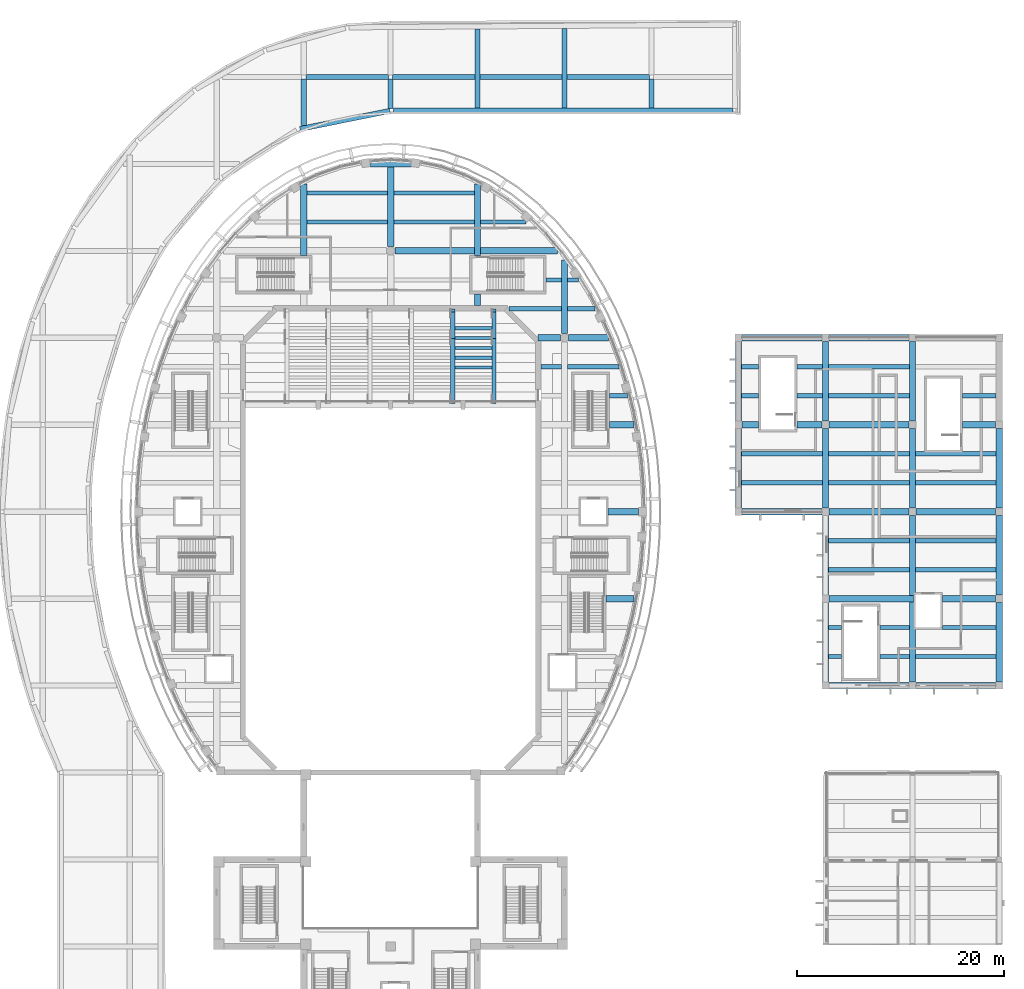
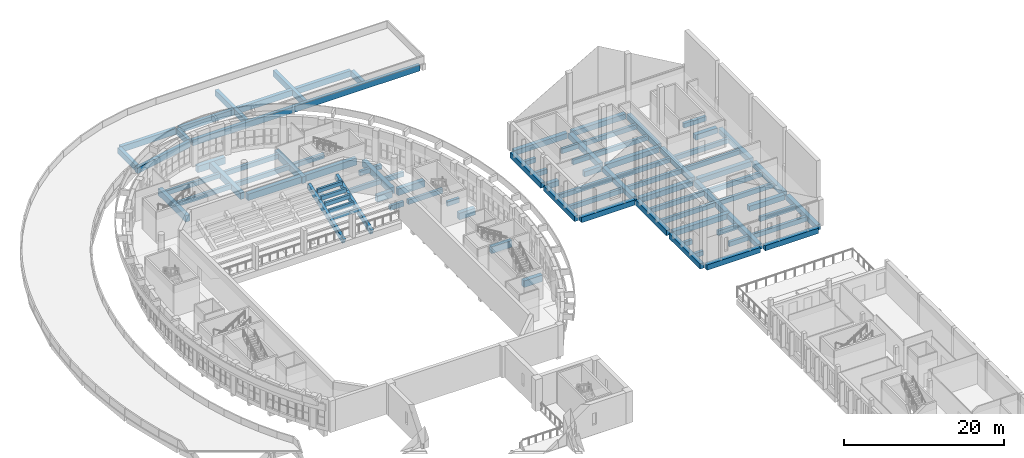
# One storey, part 5 of 79: 90 beams.
"""IFC4 building model written with IfcOpenShell, lengths in metres."""

from ifc_helpers import new_model, si_unit, direction, frame, origin, origin_2d, place, context, subcontext, project, spatial, rectangle, extrude, material, material_profile, profile_set, type_object, element, save


model = new_model("IFC4")

# Units and contexts
model_context = context("Model", 3, precision=1e-05, world=origin(), true_north=direction((0.0, 1.0)))
body_context = subcontext(model_context, "Body", "Model", "MODEL_VIEW")
ifc_project = project(units=[si_unit("LENGTHUNIT", "METRE"), si_unit("AREAUNIT", "SQUARE_METRE"), si_unit("VOLUMEUNIT", "CUBIC_METRE"), si_unit("PLANEANGLEUNIT", "RADIAN"), si_unit("MASSUNIT", "GRAM", prefix="KILO")], contexts=[model_context])

# Site, building, storey
site_placement = place(None, origin())
site = spatial("IfcSite", under=ifc_project, at=site_placement, CompositionType="ELEMENT")
building_placement = place(site_placement, origin())
building = spatial("IfcBuilding", under=site, at=building_placement, Name="Larchfold Concert Hall", CompositionType="ELEMENT")
storey_placement = place(building_placement, frame((0.0, 0.0, 14.39990234375)))
storey = spatial("IfcBuildingStorey", under=building, at=storey_placement, Name="L03", CompositionType="ELEMENT", Elevation=14.39990234375)

# Beams
ifc_material_1 = material(Name="Concrete C35/45", Category="concrete")
ifc_material_profile_1 = material_profile(ifc_material_1, rectangle(XDim=0.300048828125, YDim=0.60009765625, at=origin_2d()))
ifc_profile_set_1 = profile_set([ifc_material_profile_1], Name="Concrete C35/45")
beam_type_1 = type_object("IfcBeamType", Name="Beam RC 300x600", PredefinedType="BEAM", material=ifc_profile_set_1)
for number, where, z_axis, x_axis, name in (
    (1, (48.800048828125, 98.52490234375, 0.864990234375), (1.0, 0.0, 0.0), (0.0, 1.0, 0.0), "Beam B1783"),
    (2, (48.800048828125, 99.47509765625, 1.2431640625), (1.0, 0.0, 0.0), (0.0, 1.0, 0.0), "Beam B1788"),
    (3, (48.800048828125, 100.4248046875, 1.760009765625), (1.0, 0.0, 0.0), (0.0, 1.0, 0.0), "Beam B1793"),
    (4, (48.800048828125, 101.375, 2.13720703125), (1.0, 0.0, 0.0), (0.0, 1.0, 0.0), "Beam B1798"),
    (5, (48.800048828125, 102.3251953125, 2.6630859375), (1.0, 0.0, 0.0), (0.0, 1.0, 0.0), "Beam B1803"),
):
    element("IfcBeam", number, at=place(storey_placement, frame(where, z_axis=z_axis, x_axis=x_axis)), inside=storey, type_object=beam_type_1, Name=name, PredefinedType="BEAM", context=body_context, shape_type="SweptSolid", body=[
        extrude(rectangle(XDim=0.300048828125, YDim=0.60009765625, at=origin_2d()), origin(), (0.0, 0.0, 1.0), 3.599853515625),
    ])
ifc_material_2 = material(Name="Concrete C35/45", Category="concrete")
ifc_material_profile_2 = material_profile(ifc_material_2, rectangle(XDim=0.39990234375, YDim=0.699951171875, at=origin_2d()))
ifc_profile_set_2 = profile_set([ifc_material_profile_2], Name="Concrete C35/45")
beam_type_2 = type_object("IfcBeamType", Name="Beam RC 400x700", PredefinedType="BEAM", material=ifc_profile_set_2)
beam_1_placement = place(storey_placement, frame((84.89990234375, 70.60009765625, -0.5498046875), z_axis=(1.0, 0.0, 0.0), x_axis=(0.0, 1.0, 0.0)))
element("IfcBeam", 6, at=beam_1_placement, inside=storey, type_object=beam_type_2, Name="Beam B1048", PredefinedType="BEAM", context=body_context, shape_type="SweptSolid", body=[
    extrude(rectangle(XDim=0.39990234375, YDim=0.699951171875, at=origin_2d()), origin(), (0.0, 0.0, 1.0), 1.25),
])
beam_2_placement = place(storey_placement, frame((89.85009765625, 70.60009765625, -0.5498046875), z_axis=(1.0, 0.0, 0.0), x_axis=(0.0, 1.0, 0.0)))
element("IfcBeam", 7, at=beam_2_placement, inside=storey, type_object=beam_type_2, Name="Beam B1049", PredefinedType="BEAM", context=body_context, shape_type="SweptSolid", body=[
    extrude(rectangle(XDim=0.39990234375, YDim=0.699951171875, at=origin_2d()), origin(), (0.0, 0.0, 1.0), 2.849853515625),
])
beam_3_placement = place(storey_placement, frame((93.300048828125, 70.60009765625, -0.5498046875), z_axis=(1.0, 0.0, 0.0), x_axis=(0.0, 1.0, 0.0)))
element("IfcBeam", 8, at=beam_3_placement, inside=storey, type_object=beam_type_2, Name="Beam B1050", PredefinedType="BEAM", context=body_context, shape_type="SweptSolid", body=[
    extrude(rectangle(XDim=0.39990234375, YDim=0.699951171875, at=origin_2d()), origin(), (0.0, 0.0, 1.0), 7.800048828125),
])
beam_4_placement = place(storey_placement, frame((84.89990234375, 73.39990234375, -0.5498046875), z_axis=(1.0, 0.0, 0.0), x_axis=(0.0, 1.0, 0.0)))
element("IfcBeam", 9, at=beam_4_placement, inside=storey, type_object=beam_type_2, Name="Beam B1051", PredefinedType="BEAM", context=body_context, shape_type="SweptSolid", body=[
    extrude(rectangle(XDim=0.39990234375, YDim=0.699951171875, at=origin_2d()), origin(), (0.0, 0.0, 1.0), 1.25),
])
beam_5_placement = place(storey_placement, frame((89.85009765625, 73.39990234375, -0.5498046875), z_axis=(1.0, 0.0, 0.0), x_axis=(0.0, 1.0, 0.0)))
element("IfcBeam", 10, at=beam_5_placement, inside=storey, type_object=beam_type_2, Name="Beam B1052", PredefinedType="BEAM", context=body_context, shape_type="SweptSolid", body=[
    extrude(rectangle(XDim=0.39990234375, YDim=0.699951171875, at=origin_2d()), origin(), (0.0, 0.0, 1.0), 2.849853515625),
])
beam_6_placement = place(storey_placement, frame((95.89990234375, 73.39990234375, -0.5498046875), z_axis=(1.0, 0.0, 0.0), x_axis=(0.0, 1.0, 0.0)))
element("IfcBeam", 11, at=beam_6_placement, inside=storey, type_object=beam_type_2, Name="Beam B1053", PredefinedType="BEAM", context=body_context, shape_type="SweptSolid", body=[
    extrude(rectangle(XDim=0.39990234375, YDim=0.699951171875, at=origin_2d()), origin(), (0.0, 0.0, 1.0), 5.2001953125),
])
for number, where, z_axis, x_axis, name in (
    (12, (84.89990234375, 79.0, -0.5498046875), (1.0, 0.0, 0.0), (0.0, 1.0, 0.0), "Beam B1054"),
    (13, (93.300048828125, 79.0, -0.5498046875), (1.0, 0.0, 0.0), (0.0, 1.0, 0.0), "Beam B1055"),
    (14, (84.89990234375, 81.800048828125, -0.5498046875), (1.0, 0.0, 0.0), (0.0, 1.0, 0.0), "Beam B1056"),
    (15, (93.300048828125, 81.800048828125, -0.5498046875), (1.0, 0.0, 0.0), (0.0, 1.0, 0.0), "Beam B1057"),
    (16, (76.5, 87.39990234375, -0.5498046875), (1.0, 0.0, 0.0), (0.0, 1.0, 0.0), "Beam B1058"),
    (17, (84.89990234375, 87.39990234375, -0.5498046875), (1.0, 0.0, 0.0), (0.0, 1.0, 0.0), "Beam B1059"),
    (18, (93.300048828125, 87.39990234375, -0.5498046875), (1.0, 0.0, 0.0), (0.0, 1.0, 0.0), "Beam B1060"),
    (19, (76.5, 90.199951171875, -0.5498046875), (1.0, 0.0, 0.0), (0.0, 1.0, 0.0), "Beam B1061"),
    (20, (84.89990234375, 90.199951171875, -0.5498046875), (1.0, 0.0, 0.0), (0.0, 1.0, 0.0), "Beam B1062"),
    (21, (93.300048828125, 90.199951171875, -0.5498046875), (1.0, 0.0, 0.0), (0.0, 1.0, 0.0), "Beam B1063"),
):
    element("IfcBeam", number, at=place(storey_placement, frame(where, z_axis=z_axis, x_axis=x_axis)), inside=storey, type_object=beam_type_2, Name=name, PredefinedType="BEAM", context=body_context, shape_type="SweptSolid", body=[
        extrude(rectangle(XDim=0.39990234375, YDim=0.699951171875, at=origin_2d()), origin(), (0.0, 0.0, 1.0), 7.800048828125),
    ])
beam_7_placement = place(storey_placement, frame((76.5, 95.800048828125, -0.5498046875), z_axis=(1.0, 0.0, 0.0), x_axis=(0.0, 1.0, 0.0)))
element("IfcBeam", 22, at=beam_7_placement, inside=storey, type_object=beam_type_2, Name="Beam B1064", PredefinedType="BEAM", context=body_context, shape_type="SweptSolid", body=[
    extrude(rectangle(XDim=0.39990234375, YDim=0.699951171875, at=origin_2d()), origin(), (0.0, 0.0, 1.0), 1.64990234375),
])
beam_8_placement = place(storey_placement, frame((81.85009765625, 95.800048828125, -0.5498046875), z_axis=(1.0, 0.0, 0.0), x_axis=(0.0, 1.0, 0.0)))
element("IfcBeam", 23, at=beam_8_placement, inside=storey, type_object=beam_type_2, Name="Beam B1065", PredefinedType="BEAM", context=body_context, shape_type="SweptSolid", body=[
    extrude(rectangle(XDim=0.39990234375, YDim=0.699951171875, at=origin_2d()), origin(), (0.0, 0.0, 1.0), 2.449951171875),
])
beam_9_placement = place(storey_placement, frame((84.89990234375, 95.800048828125, -0.5498046875), z_axis=(1.0, 0.0, 0.0), x_axis=(0.0, 1.0, 0.0)))
element("IfcBeam", 24, at=beam_9_placement, inside=storey, type_object=beam_type_2, Name="Beam B1066", PredefinedType="BEAM", context=body_context, shape_type="SweptSolid", body=[
    extrude(rectangle(XDim=0.39990234375, YDim=0.699951171875, at=origin_2d()), origin(), (0.0, 0.0, 1.0), 7.800048828125),
])
beam_10_placement = place(storey_placement, frame((97.85009765625, 95.800048828125, -0.5498046875), z_axis=(1.0, 0.0, 0.0), x_axis=(0.0, 1.0, 0.0)))
element("IfcBeam", 25, at=beam_10_placement, inside=storey, type_object=beam_type_2, Name="Beam B1067", PredefinedType="BEAM", context=body_context, shape_type="SweptSolid", body=[
    extrude(rectangle(XDim=0.39990234375, YDim=0.699951171875, at=origin_2d()), origin(), (0.0, 0.0, 1.0), 3.25),
])
beam_11_placement = place(storey_placement, frame((76.5, 98.60009765625, -0.5498046875), z_axis=(1.0, 0.0, 0.0), x_axis=(0.0, 1.0, 0.0)))
element("IfcBeam", 26, at=beam_11_placement, inside=storey, type_object=beam_type_2, Name="Beam B1068", PredefinedType="BEAM", context=body_context, shape_type="SweptSolid", body=[
    extrude(rectangle(XDim=0.39990234375, YDim=0.699951171875, at=origin_2d()), origin(), (0.0, 0.0, 1.0), 1.64990234375),
])
beam_12_placement = place(storey_placement, frame((81.85009765625, 98.60009765625, -0.5498046875), z_axis=(1.0, 0.0, 0.0), x_axis=(0.0, 1.0, 0.0)))
element("IfcBeam", 27, at=beam_12_placement, inside=storey, type_object=beam_type_2, Name="Beam B1069", PredefinedType="BEAM", context=body_context, shape_type="SweptSolid", body=[
    extrude(rectangle(XDim=0.39990234375, YDim=0.699951171875, at=origin_2d()), origin(), (0.0, 0.0, 1.0), 2.449951171875),
])
beam_13_placement = place(storey_placement, frame((84.89990234375, 98.60009765625, -0.5498046875), z_axis=(1.0, 0.0, 0.0), x_axis=(0.0, 1.0, 0.0)))
element("IfcBeam", 28, at=beam_13_placement, inside=storey, type_object=beam_type_2, Name="Beam B1070", PredefinedType="BEAM", context=body_context, shape_type="SweptSolid", body=[
    extrude(rectangle(XDim=0.39990234375, YDim=0.699951171875, at=origin_2d()), origin(), (0.0, 0.0, 1.0), 7.800048828125),
])
beam_14_placement = place(storey_placement, frame((63.75, 95.800048828125, -0.5498046875), z_axis=(1.0, 0.0, 0.0), x_axis=(0.0, 1.0, 0.0)))
element("IfcBeam", 29, at=beam_14_placement, inside=storey, type_object=beam_type_2, Name="Beam B1415", PredefinedType="BEAM", context=body_context, shape_type="SweptSolid", body=[
    extrude(rectangle(XDim=0.39990234375, YDim=0.699951171875, at=origin_2d()), origin(), (0.0, 0.0, 1.0), 1.72998046875),
])
beam_15_placement = place(storey_placement, frame((57.110107421875, 98.60009765625, -0.5498046875), z_axis=(1.0, 0.0, 0.0), x_axis=(0.0, 1.0, 0.0)))
element("IfcBeam", 30, at=beam_15_placement, inside=storey, type_object=beam_type_2, Name="Beam B1418", PredefinedType="BEAM", context=body_context, shape_type="SweptSolid", body=[
    extrude(rectangle(XDim=0.39990234375, YDim=0.699951171875, at=origin_2d()), origin(), (0.0, 0.0, 1.0), 1.989990234375),
])
beam_16_placement = place(storey_placement, frame((59.699951171875, 98.60009765625, -0.5498046875), z_axis=(1.0, 0.0, 0.0), x_axis=(0.0, 1.0, 0.0)))
element("IfcBeam", 31, at=beam_16_placement, inside=storey, type_object=beam_type_2, Name="Beam B1419", PredefinedType="BEAM", context=body_context, shape_type="SweptSolid", body=[
    extrude(rectangle(XDim=0.39990234375, YDim=0.699951171875, at=origin_2d()), origin(), (0.0, 0.0, 1.0), 4.9765625),
])
beam_17_placement = place(storey_placement, frame((54.01416015625, 104.199951171875, -0.5498046875), z_axis=(1.0, 0.0, 0.0), x_axis=(0.0, 1.0, 0.0)))
element("IfcBeam", 32, at=beam_17_placement, inside=storey, type_object=beam_type_2, Name="Beam B1422", PredefinedType="BEAM", context=body_context, shape_type="SweptSolid", body=[
    extrude(rectangle(XDim=0.39990234375, YDim=0.699951171875, at=origin_2d()), origin(), (0.0, 0.0, 1.0), 5.0859375),
])
beam_18_placement = place(storey_placement, frame((59.699951171875, 104.199951171875, -0.5498046875), z_axis=(1.0, 0.0, 0.0), x_axis=(0.0, 1.0, 0.0)))
element("IfcBeam", 33, at=beam_18_placement, inside=storey, type_object=beam_type_2, Name="Beam B1423", PredefinedType="BEAM", context=body_context, shape_type="SweptSolid", body=[
    extrude(rectangle(XDim=0.39990234375, YDim=0.699951171875, at=origin_2d()), origin(), (0.0, 0.0, 1.0), 2.639404296875),
])
beam_19_placement = place(storey_placement, frame((57.60009765625, 107.0, -0.5498046875), z_axis=(1.0, 0.0, 0.0), x_axis=(0.0, 1.0, 0.0)))
element("IfcBeam", 34, at=beam_19_placement, inside=storey, type_object=beam_type_2, Name="Beam B1428", PredefinedType="BEAM", context=body_context, shape_type="SweptSolid", body=[
    extrude(rectangle(XDim=0.39990234375, YDim=0.699951171875, at=origin_2d()), origin(), (0.0, 0.0, 1.0), 1.5),
])
beam_20_placement = place(storey_placement, frame((59.699951171875, 107.0, -0.5498046875), z_axis=(1.0, 0.0, 0.0), x_axis=(0.0, 1.0, 0.0)))
element("IfcBeam", 35, at=beam_20_placement, inside=storey, type_object=beam_type_2, Name="Beam B1429", PredefinedType="BEAM", context=body_context, shape_type="SweptSolid", body=[
    extrude(rectangle(XDim=0.39990234375, YDim=0.699951171875, at=origin_2d()), origin(), (0.0, 0.0, 1.0), 1.0380859375),
])
for number, where, z_axis, x_axis, name in (
    (36, (34.5, 112.60009765625, -0.5498046875), (1.0, 0.0, 0.0), (0.0, 1.0, 0.0), "Beam B1431"),
    (37, (42.89990234375, 112.60009765625, -0.5498046875), (1.0, 0.0, 0.0), (0.0, 1.0, 0.0), "Beam B1432"),
):
    element("IfcBeam", number, at=place(storey_placement, frame(where, z_axis=z_axis, x_axis=x_axis)), inside=storey, type_object=beam_type_2, Name=name, PredefinedType="BEAM", context=body_context, shape_type="SweptSolid", body=[
        extrude(rectangle(XDim=0.39990234375, YDim=0.699951171875, at=origin_2d()), origin(), (0.0, 0.0, 1.0), 7.800048828125),
    ])
beam_21_placement = place(storey_placement, frame((51.300048828125, 112.60009765625, -0.5498046875), z_axis=(1.0, 0.0, 0.0), x_axis=(0.0, 1.0, 0.0)))
element("IfcBeam", 38, at=beam_21_placement, inside=storey, type_object=beam_type_2, Name="Beam B1433", PredefinedType="BEAM", context=body_context, shape_type="SweptSolid", body=[
    extrude(rectangle(XDim=0.39990234375, YDim=0.699951171875, at=origin_2d()), origin(), (0.0, 0.0, 1.0), 4.395751953125),
])
for number, where, z_axis, x_axis, name in (
    (39, (34.5, 115.39990234375, -0.5498046875), (1.0, 0.0, 0.0), (0.0, 1.0, 0.0), "Beam B1434"),
    (40, (42.89990234375, 115.39990234375, -0.5498046875), (1.0, 0.0, 0.0), (0.0, 1.0, 0.0), "Beam B1435"),
):
    element("IfcBeam", number, at=place(storey_placement, frame(where, z_axis=z_axis, x_axis=x_axis)), inside=storey, type_object=beam_type_2, Name=name, PredefinedType="BEAM", context=body_context, shape_type="SweptSolid", body=[
        extrude(rectangle(XDim=0.39990234375, YDim=0.699951171875, at=origin_2d()), origin(), (0.0, 0.0, 1.0), 7.800048828125),
    ])
ifc_material_3 = material(Name="Concrete C35/45", Category="concrete")
ifc_material_profile_3 = material_profile(ifc_material_3, rectangle(XDim=0.39990234375, YDim=0.800048828125, at=origin_2d()))
ifc_profile_set_3 = profile_set([ifc_material_profile_3], Name="Concrete C35/45")
beam_type_3 = type_object("IfcBeamType", Name="Beam RC 400x800", PredefinedType="BEAM", material=ifc_profile_set_3)
beam_22_placement = place(storey_placement, frame((48.60009765625, 95.199951171875, -0.619873046875), z_axis=(0.0, 0.940992796886, 0.338426589099), x_axis=(-1.0, 0.0, 0.0)))
element("IfcBeam", 41, at=beam_22_placement, inside=storey, type_object=beam_type_3, Name="Beam RK1765", PredefinedType="BEAM", context=body_context, shape_type="SweptSolid", body=[
    extrude(rectangle(XDim=0.39990234375, YDim=0.800048828125, at=origin_2d()), origin(), (0.0, 0.0, 1.0), 6.641845703125),
])
beam_23_placement = place(storey_placement, frame((48.60009765625, 101.449951171875, 1.6279296875), z_axis=(0.0, 0.940999996004, 0.338406571333), x_axis=(-1.0, 0.0, 0.0)))
element("IfcBeam", 42, at=beam_23_placement, inside=storey, type_object=beam_type_3, Name="Beam RK1766", PredefinedType="BEAM", context=body_context, shape_type="SweptSolid", body=[
    extrude(rectangle(XDim=0.39990234375, YDim=0.800048828125, at=origin_2d()), origin(), (0.0, 0.0, 1.0), 2.76318359375),
])
beam_24_placement = place(storey_placement, frame((52.60009765625, 95.199951171875, -0.619873046875), z_axis=(0.0, 0.940992796886, 0.338426589099), x_axis=(-1.0, 0.0, 0.0)))
element("IfcBeam", 43, at=beam_24_placement, inside=storey, type_object=beam_type_3, Name="Beam RK1767", PredefinedType="BEAM", context=body_context, shape_type="SweptSolid", body=[
    extrude(rectangle(XDim=0.39990234375, YDim=0.800048828125, at=origin_2d()), origin(), (0.0, 0.0, 1.0), 6.641845703125),
])
beam_25_placement = place(storey_placement, frame((52.60009765625, 101.449951171875, 1.6279296875), z_axis=(0.0, 0.940999996004, 0.338406571333), x_axis=(-1.0, 0.0, 0.0)))
element("IfcBeam", 44, at=beam_25_placement, inside=storey, type_object=beam_type_3, Name="Beam RK1768", PredefinedType="BEAM", context=body_context, shape_type="SweptSolid", body=[
    extrude(rectangle(XDim=0.39990234375, YDim=0.800048828125, at=origin_2d()), origin(), (0.0, 0.0, 1.0), 2.76318359375),
])
ifc_material_4 = material(Name="Concrete C35/45", Category="concrete")
ifc_material_profile_4 = material_profile(ifc_material_4, rectangle(XDim=0.5, YDim=0.89990234375, at=origin_2d()))
ifc_profile_set_4 = profile_set([ifc_material_profile_4], Name="Concrete C35/45")
beam_type_4 = type_object("IfcBeamType", Name="Beam RC 500x900", PredefinedType="BEAM", material=ifc_profile_set_4)
beam_26_placement = place(storey_placement, frame((75.669921875, 123.35009765625, -0.599853515625), z_axis=(-1.0, 0.0, 0.0), x_axis=(0.0, -1.0, 0.0)))
element("IfcBeam", 45, at=beam_26_placement, inside=storey, type_object=beam_type_4, Name="Beam B2020", PredefinedType="BEAM", context=body_context, shape_type="SweptSolid", body=[
    extrude(rectangle(XDim=0.5, YDim=0.89990234375, at=origin_2d()), origin(), (0.0, 0.0, 1.0), 32.805908203125),
])
beam_27_placement = place(storey_placement, frame((42.507568359375, 123.314453125, -0.599853515625), z_axis=(-0.980298894332, -0.197519816147, 0.0), x_axis=(0.197519816147, -0.980298894332, 0.0)))
element("IfcBeam", 46, at=beam_27_placement, inside=storey, type_object=beam_type_4, Name="Beam B2021", PredefinedType="BEAM", context=body_context, shape_type="SweptSolid", body=[
    extrude(rectangle(XDim=0.5, YDim=0.89990234375, at=origin_2d()), origin(), (0.0, 0.0, 1.0), 8.828857421875),
])
beam_28_placement = place(storey_placement, frame((34.199951171875, 121.8955078125, -0.599853515625), z_axis=(0.0, 1.0, 0.0), x_axis=(-1.0, 0.0, 0.0)))
element("IfcBeam", 47, at=beam_28_placement, inside=storey, type_object=beam_type_4, Name="Beam B2039", PredefinedType="BEAM", context=body_context, shape_type="SweptSolid", body=[
    extrude(rectangle(XDim=0.5, YDim=0.89990234375, at=origin_2d()), origin(), (0.0, 0.0, 1.0), 4.50439453125),
])
beam_29_placement = place(storey_placement, frame((42.60009765625, 123.550048828125, -0.599853515625), z_axis=(0.0, 1.0, 0.0), x_axis=(-1.0, 0.0, 0.0)))
element("IfcBeam", 48, at=beam_29_placement, inside=storey, type_object=beam_type_4, Name="Beam B2041", PredefinedType="BEAM", context=body_context, shape_type="SweptSolid", body=[
    extrude(rectangle(XDim=0.5, YDim=0.89990234375, at=origin_2d()), origin(), (0.0, 0.0, 1.0), 2.849853515625),
])
beam_30_placement = place(storey_placement, frame((51.0, 123.60009765625, -0.599853515625), z_axis=(0.0, 1.0, 0.0), x_axis=(-1.0, 0.0, 0.0)))
element("IfcBeam", 49, at=beam_30_placement, inside=storey, type_object=beam_type_4, Name="Beam B2043", PredefinedType="BEAM", context=body_context, shape_type="SweptSolid", body=[
    extrude(rectangle(XDim=0.5, YDim=0.89990234375, at=origin_2d()), origin(), (0.0, 0.0, 1.0), 7.628173828125),
])
beam_31_placement = place(storey_placement, frame((59.39990234375, 123.60009765625, -0.599853515625), z_axis=(0.0, 1.0, 0.0), x_axis=(-1.0, 0.0, 0.0)))
element("IfcBeam", 50, at=beam_31_placement, inside=storey, type_object=beam_type_4, Name="Beam B2044", PredefinedType="BEAM", context=body_context, shape_type="SweptSolid", body=[
    extrude(rectangle(XDim=0.5, YDim=0.89990234375, at=origin_2d()), origin(), (0.0, 0.0, 1.0), 7.68603515625),
])
beam_32_placement = place(storey_placement, frame((67.800048828125, 123.60009765625, -0.599853515625), z_axis=(0.0, 1.0, 0.0), x_axis=(-1.0, 0.0, 0.0)))
element("IfcBeam", 51, at=beam_32_placement, inside=storey, type_object=beam_type_4, Name="Beam B2045", PredefinedType="BEAM", context=body_context, shape_type="SweptSolid", body=[
    extrude(rectangle(XDim=0.5, YDim=0.89990234375, at=origin_2d()), origin(), (0.0, 0.0, 1.0), 2.7998046875),
])
beam_33_placement = place(storey_placement, frame((34.39990234375, 126.60009765625, -0.599853515625), z_axis=(1.0, 0.0, 0.0), x_axis=(0.0, 1.0, 0.0)))
element("IfcBeam", 52, at=beam_33_placement, inside=storey, type_object=beam_type_4, Name="Beam B2064", PredefinedType="BEAM", context=body_context, shape_type="SweptSolid", body=[
    extrude(rectangle(XDim=0.5, YDim=0.89990234375, at=origin_2d()), origin(), (0.0, 0.0, 1.0), 8.0),
])
beam_34_placement = place(storey_placement, frame((42.800048828125, 126.60009765625, -0.599853515625), z_axis=(1.0, 0.0, 0.0), x_axis=(0.0, 1.0, 0.0)))
element("IfcBeam", 53, at=beam_34_placement, inside=storey, type_object=beam_type_4, Name="Beam B2065", PredefinedType="BEAM", context=body_context, shape_type="SweptSolid", body=[
    extrude(rectangle(XDim=0.5, YDim=0.89990234375, at=origin_2d()), origin(), (0.0, 0.0, 1.0), 24.800048828125),
])
ifc_material_5 = material(Name="Concrete C35/45", Category="concrete")
ifc_material_profile_5 = material_profile(ifc_material_5, rectangle(XDim=0.60009765625, YDim=1.0, at=origin_2d()))
ifc_profile_set_5 = profile_set([ifc_material_profile_5], Name="Concrete C35/45")
beam_type_5 = type_object("IfcBeamType", Name="Beam RC 600x1000", PredefinedType="BEAM", material=ifc_profile_set_5)
beam_35_placement = place(storey_placement, frame((34.199951171875, 109.35009765625, -0.699951171875), z_axis=(0.0, 1.0, 0.0), x_axis=(-1.0, 0.0, 0.0)))
element("IfcBeam", 54, at=beam_35_placement, inside=storey, type_object=beam_type_5, Name="Beam B1356", PredefinedType="BEAM", context=body_context, shape_type="SweptSolid", body=[
    extrude(rectangle(XDim=0.60009765625, YDim=1.0, at=origin_2d()), origin(), (0.0, 0.0, 1.0), 6.893798828125),
])
beam_36_placement = place(storey_placement, frame((42.60009765625, 110.1982421875, -0.699951171875), z_axis=(0.0, 1.0, 0.0), x_axis=(-1.0, 0.0, 0.0)))
element("IfcBeam", 55, at=beam_36_placement, inside=storey, type_object=beam_type_5, Name="Beam B1358", PredefinedType="BEAM", context=body_context, shape_type="SweptSolid", body=[
    extrude(rectangle(XDim=0.60009765625, YDim=1.0, at=origin_2d()), origin(), (0.0, 0.0, 1.0), 8.17138671875),
])
beam_37_placement = place(storey_placement, frame((51.0, 104.510009765625, -0.699951171875), z_axis=(0.0, 1.0, 0.0), x_axis=(-1.0, 0.0, 0.0)))
element("IfcBeam", 56, at=beam_37_placement, inside=storey, type_object=beam_type_5, Name="Beam B1359", PredefinedType="BEAM", context=body_context, shape_type="SweptSolid", body=[
    extrude(rectangle(XDim=0.60009765625, YDim=1.0, at=origin_2d()), origin(), (0.0, 0.0, 1.0), 1.139892578125),
])
beam_38_placement = place(storey_placement, frame((51.0, 109.35009765625, -0.699951171875), z_axis=(0.0, 1.0, 0.0), x_axis=(-1.0, 0.0, 0.0)))
element("IfcBeam", 57, at=beam_38_placement, inside=storey, type_object=beam_type_5, Name="Beam B1360", PredefinedType="BEAM", context=body_context, shape_type="SweptSolid", body=[
    extrude(rectangle(XDim=0.60009765625, YDim=1.0, at=origin_2d()), origin(), (0.0, 0.0, 1.0), 6.893798828125),
])
beam_39_placement = place(storey_placement, frame((59.39990234375, 101.79833984375, -0.699951171875), z_axis=(0.0, 1.0, 0.0), x_axis=(-1.0, 0.0, 0.0)))
element("IfcBeam", 58, at=beam_39_placement, inside=storey, type_object=beam_type_5, Name="Beam B1364", PredefinedType="BEAM", context=body_context, shape_type="SweptSolid", body=[
    extrude(rectangle(XDim=0.60009765625, YDim=1.0, at=origin_2d()), origin(), (0.0, 0.0, 1.0), 7.134765625),
])
beam_40_placement = place(storey_placement, frame((63.39990234375, 76.199951171875, -0.699951171875), z_axis=(1.0, 0.0, 0.0), x_axis=(0.0, 1.0, 0.0)))
element("IfcBeam", 59, at=beam_40_placement, inside=storey, type_object=beam_type_5, Name="Beam B1370", PredefinedType="BEAM", context=body_context, shape_type="SweptSolid", body=[
    extrude(rectangle(XDim=0.60009765625, YDim=1.0, at=origin_2d()), origin(), (0.0, 0.0, 1.0), 2.68994140625),
])
beam_41_placement = place(storey_placement, frame((63.60009765625, 84.60009765625, -0.699951171875), z_axis=(1.0, 0.0, 0.0), x_axis=(0.0, 1.0, 0.0)))
element("IfcBeam", 60, at=beam_41_placement, inside=storey, type_object=beam_type_5, Name="Beam B1374", PredefinedType="BEAM", context=body_context, shape_type="SweptSolid", body=[
    extrude(rectangle(XDim=0.60009765625, YDim=1.0, at=origin_2d()), origin(), (0.0, 0.0, 1.0), 2.949951171875),
])
beam_42_placement = place(storey_placement, frame((63.75, 93.0, -0.699951171875), z_axis=(1.0, 0.0, 0.0), x_axis=(0.0, 1.0, 0.0)))
element("IfcBeam", 61, at=beam_42_placement, inside=storey, type_object=beam_type_5, Name="Beam B1378", PredefinedType="BEAM", context=body_context, shape_type="SweptSolid", body=[
    extrude(rectangle(XDim=0.60009765625, YDim=1.0, at=origin_2d()), origin(), (0.0, 0.0, 1.0), 2.33984375),
])
beam_43_placement = place(storey_placement, frame((56.814208984375, 101.39990234375, -0.699951171875), z_axis=(1.0, 0.0, 0.0), x_axis=(0.0, 1.0, 0.0)))
element("IfcBeam", 62, at=beam_43_placement, inside=storey, type_object=beam_type_5, Name="Beam B1381", PredefinedType="BEAM", context=body_context, shape_type="SweptSolid", body=[
    extrude(rectangle(XDim=0.60009765625, YDim=1.0, at=origin_2d()), origin(), (0.0, 0.0, 1.0), 2.1875),
])
beam_44_placement = place(storey_placement, frame((59.79833984375, 101.39990234375, -0.699951171875), z_axis=(1.0, 0.0, 0.0), x_axis=(0.0, 1.0, 0.0)))
element("IfcBeam", 63, at=beam_44_placement, inside=storey, type_object=beam_type_5, Name="Beam B1382", PredefinedType="BEAM", context=body_context, shape_type="SweptSolid", body=[
    extrude(rectangle(XDim=0.60009765625, YDim=1.0, at=origin_2d()), origin(), (0.0, 0.0, 1.0), 3.844970703125),
])
beam_45_placement = place(storey_placement, frame((42.998291015625, 109.800048828125, -0.699951171875), z_axis=(1.0, 0.0, 0.0), x_axis=(0.0, 1.0, 0.0)))
element("IfcBeam", 64, at=beam_45_placement, inside=storey, type_object=beam_type_5, Name="Beam B1384", PredefinedType="BEAM", context=body_context, shape_type="SweptSolid", body=[
    extrude(rectangle(XDim=0.60009765625, YDim=1.0, at=origin_2d()), origin(), (0.0, 0.0, 1.0), 15.73779296875),
])
beam_46_placement = place(storey_placement, frame((40.609619140625, 118.199951171875, -0.699951171875), z_axis=(1.0, 0.0, 0.0), x_axis=(0.0, 1.0, 0.0)))
element("IfcBeam", 65, at=beam_46_placement, inside=storey, type_object=beam_type_5, Name="Beam B1385", PredefinedType="BEAM", context=body_context, shape_type="SweptSolid", body=[
    extrude(rectangle(XDim=0.60009765625, YDim=1.0, at=origin_2d()), origin(), (0.0, 0.0, 1.0), 3.98095703125),
])
ifc_material_6 = material(Name="Concrete C35/45", Category="concrete")
ifc_material_profile_6 = material_profile(ifc_material_6, rectangle(XDim=0.60009765625, YDim=0.800048828125, at=origin_2d()))
ifc_profile_set_6 = profile_set([ifc_material_profile_6], Name="Concrete C35/45")
beam_type_6 = type_object("IfcBeamType", Name="Beam RC 600x800", PredefinedType="BEAM", material=ifc_profile_set_6)
for number, where, z_axis, x_axis, name in (
    (66, (76.199951171875, 84.949951171875, -0.599853515625), (0.0, 1.0, 0.0), (-1.0, 0.0, 0.0), "Beam B1021"),
    (67, (76.199951171875, 93.35009765625, -0.599853515625), (0.0, 1.0, 0.0), (-1.0, 0.0, 0.0), "Beam B1022"),
):
    element("IfcBeam", number, at=place(storey_placement, frame(where, z_axis=z_axis, x_axis=x_axis)), inside=storey, type_object=beam_type_6, Name=name, PredefinedType="BEAM", context=body_context, shape_type="SweptSolid", body=[
        extrude(rectangle(XDim=0.60009765625, YDim=0.800048828125, at=origin_2d()), origin(), (0.0, 0.0, 1.0), 7.699951171875),
    ])
beam_47_placement = place(storey_placement, frame((84.60009765625, 68.14990234375, -0.599853515625), z_axis=(0.0, 1.0, 0.0), x_axis=(-1.0, 0.0, 0.0)))
element("IfcBeam", 68, at=beam_47_placement, inside=storey, type_object=beam_type_6, Name="Beam B1023", PredefinedType="BEAM", context=body_context, shape_type="SweptSolid", body=[
    extrude(rectangle(XDim=0.60009765625, YDim=0.800048828125, at=origin_2d()), origin(), (0.0, 0.0, 1.0), 7.7001953125),
])
for number, where, z_axis, x_axis, name in (
    (69, (84.60009765625, 76.550048828125, -0.599853515625), (0.0, 1.0, 0.0), (-1.0, 0.0, 0.0), "Beam B1024"),
    (70, (84.60009765625, 84.949951171875, -0.599853515625), (0.0, 1.0, 0.0), (-1.0, 0.0, 0.0), "Beam B1025"),
    (71, (84.60009765625, 93.35009765625, -0.599853515625), (0.0, 1.0, 0.0), (-1.0, 0.0, 0.0), "Beam B1026"),
):
    element("IfcBeam", number, at=place(storey_placement, frame(where, z_axis=z_axis, x_axis=x_axis)), inside=storey, type_object=beam_type_6, Name=name, PredefinedType="BEAM", context=body_context, shape_type="SweptSolid", body=[
        extrude(rectangle(XDim=0.60009765625, YDim=0.800048828125, at=origin_2d()), origin(), (0.0, 0.0, 1.0), 7.699951171875),
    ])
beam_48_placement = place(storey_placement, frame((93.0, 68.14990234375, -0.599853515625), z_axis=(0.0, 1.0, 0.0), x_axis=(-1.0, 0.0, 0.0)))
element("IfcBeam", 72, at=beam_48_placement, inside=storey, type_object=beam_type_6, Name="Beam B1027", PredefinedType="BEAM", context=body_context, shape_type="SweptSolid", body=[
    extrude(rectangle(XDim=0.60009765625, YDim=0.800048828125, at=origin_2d()), origin(), (0.0, 0.0, 1.0), 16.10009765625),
])
for number, where, z_axis, x_axis, name in (
    (73, (93.0, 84.949951171875, -0.599853515625), (0.0, 1.0, 0.0), (-1.0, 0.0, 0.0), "Beam B1028"),
    (74, (93.0, 93.35009765625, -0.599853515625), (0.0, 1.0, 0.0), (-1.0, 0.0, 0.0), "Beam B1029"),
):
    element("IfcBeam", number, at=place(storey_placement, frame(where, z_axis=z_axis, x_axis=x_axis)), inside=storey, type_object=beam_type_6, Name=name, PredefinedType="BEAM", context=body_context, shape_type="SweptSolid", body=[
        extrude(rectangle(XDim=0.60009765625, YDim=0.800048828125, at=origin_2d()), origin(), (0.0, 0.0, 1.0), 7.699951171875),
    ])
beam_49_placement = place(storey_placement, frame((101.39990234375, 68.14990234375, -0.599853515625), z_axis=(0.0, 1.0, 0.0), x_axis=(-1.0, 0.0, 0.0)))
element("IfcBeam", 75, at=beam_49_placement, inside=storey, type_object=beam_type_6, Name="Beam B1030", PredefinedType="BEAM", context=body_context, shape_type="SweptSolid", body=[
    extrude(rectangle(XDim=0.60009765625, YDim=0.800048828125, at=origin_2d()), origin(), (0.0, 0.0, 1.0), 7.7001953125),
])
for number, where, z_axis, x_axis, name in (
    (76, (101.39990234375, 76.550048828125, -0.599853515625), (0.0, 1.0, 0.0), (-1.0, 0.0, 0.0), "Beam B1031"),
    (77, (101.39990234375, 84.949951171875, -0.599853515625), (0.0, 1.0, 0.0), (-1.0, 0.0, 0.0), "Beam B1032"),
    (78, (84.949951171875, 67.800048828125, -0.599853515625), (1.0, 0.0, 0.0), (0.0, 1.0, 0.0), "Beam B1034"),
    (79, (93.35009765625, 67.800048828125, -0.599853515625), (1.0, 0.0, 0.0), (0.0, 1.0, 0.0), "Beam B1035"),
):
    element("IfcBeam", number, at=place(storey_placement, frame(where, z_axis=z_axis, x_axis=x_axis)), inside=storey, type_object=beam_type_6, Name=name, PredefinedType="BEAM", context=body_context, shape_type="SweptSolid", body=[
        extrude(rectangle(XDim=0.60009765625, YDim=0.800048828125, at=origin_2d()), origin(), (0.0, 0.0, 1.0), 7.699951171875),
    ])
beam_50_placement = place(storey_placement, frame((84.949951171875, 76.199951171875, -0.599853515625), z_axis=(1.0, 0.0, 0.0), x_axis=(0.0, 1.0, 0.0)))
element("IfcBeam", 80, at=beam_50_placement, inside=storey, type_object=beam_type_6, Name="Beam B1036", PredefinedType="BEAM", context=body_context, shape_type="SweptSolid", body=[
    extrude(rectangle(XDim=0.60009765625, YDim=0.800048828125, at=origin_2d()), origin(), (0.0, 0.0, 1.0), 8.150146484375),
])
beam_51_placement = place(storey_placement, frame((95.89990234375, 76.199951171875, -0.599853515625), z_axis=(1.0, 0.0, 0.0), x_axis=(0.0, 1.0, 0.0)))
element("IfcBeam", 81, at=beam_51_placement, inside=storey, type_object=beam_type_6, Name="Beam B1037", PredefinedType="BEAM", context=body_context, shape_type="SweptSolid", body=[
    extrude(rectangle(XDim=0.60009765625, YDim=0.800048828125, at=origin_2d()), origin(), (0.0, 0.0, 1.0), 5.150146484375),
])
for number, where, z_axis, x_axis, name in (
    (82, (76.550048828125, 84.60009765625, -0.599853515625), (1.0, 0.0, 0.0), (0.0, 1.0, 0.0), "Beam B1038"),
    (83, (84.949951171875, 84.60009765625, -0.599853515625), (1.0, 0.0, 0.0), (0.0, 1.0, 0.0), "Beam B1039"),
    (84, (93.35009765625, 84.60009765625, -0.599853515625), (1.0, 0.0, 0.0), (0.0, 1.0, 0.0), "Beam B1040"),
):
    element("IfcBeam", number, at=place(storey_placement, frame(where, z_axis=z_axis, x_axis=x_axis)), inside=storey, type_object=beam_type_6, Name=name, PredefinedType="BEAM", context=body_context, shape_type="SweptSolid", body=[
        extrude(rectangle(XDim=0.60009765625, YDim=0.800048828125, at=origin_2d()), origin(), (0.0, 0.0, 1.0), 7.699951171875),
    ])
beam_52_placement = place(storey_placement, frame((76.550048828125, 93.0, -0.599853515625), z_axis=(1.0, 0.0, 0.0), x_axis=(0.0, 1.0, 0.0)))
element("IfcBeam", 85, at=beam_52_placement, inside=storey, type_object=beam_type_6, Name="Beam B1041", PredefinedType="BEAM", context=body_context, shape_type="SweptSolid", body=[
    extrude(rectangle(XDim=0.60009765625, YDim=0.800048828125, at=origin_2d()), origin(), (0.0, 0.0, 1.0), 1.599853515625),
])
beam_53_placement = place(storey_placement, frame((81.85009765625, 93.0, -0.599853515625), z_axis=(1.0, 0.0, 0.0), x_axis=(0.0, 1.0, 0.0)))
element("IfcBeam", 86, at=beam_53_placement, inside=storey, type_object=beam_type_6, Name="Beam B1042", PredefinedType="BEAM", context=body_context, shape_type="SweptSolid", body=[
    extrude(rectangle(XDim=0.60009765625, YDim=0.800048828125, at=origin_2d()), origin(), (0.0, 0.0, 1.0), 2.39990234375),
])
beam_54_placement = place(storey_placement, frame((84.949951171875, 93.0, -0.599853515625), z_axis=(1.0, 0.0, 0.0), x_axis=(0.0, 1.0, 0.0)))
element("IfcBeam", 87, at=beam_54_placement, inside=storey, type_object=beam_type_6, Name="Beam B1043", PredefinedType="BEAM", context=body_context, shape_type="SweptSolid", body=[
    extrude(rectangle(XDim=0.60009765625, YDim=0.800048828125, at=origin_2d()), origin(), (0.0, 0.0, 1.0), 7.699951171875),
])
beam_55_placement = place(storey_placement, frame((97.85009765625, 93.0, -0.599853515625), z_axis=(1.0, 0.0, 0.0), x_axis=(0.0, 1.0, 0.0)))
element("IfcBeam", 88, at=beam_55_placement, inside=storey, type_object=beam_type_6, Name="Beam B1044", PredefinedType="BEAM", context=body_context, shape_type="SweptSolid", body=[
    extrude(rectangle(XDim=0.60009765625, YDim=0.800048828125, at=origin_2d()), origin(), (0.0, 0.0, 1.0), 3.199951171875),
])
for number, where, z_axis, x_axis, name in (
    (89, (76.550048828125, 101.39990234375, -0.599853515625), (1.0, 0.0, 0.0), (0.0, 1.0, 0.0), "Beam B1045"),
    (90, (84.949951171875, 101.39990234375, -0.599853515625), (1.0, 0.0, 0.0), (0.0, 1.0, 0.0), "Beam B1046"),
):
    element("IfcBeam", number, at=place(storey_placement, frame(where, z_axis=z_axis, x_axis=x_axis)), inside=storey, type_object=beam_type_6, Name=name, PredefinedType="BEAM", context=body_context, shape_type="SweptSolid", body=[
        extrude(rectangle(XDim=0.60009765625, YDim=0.800048828125, at=origin_2d()), origin(), (0.0, 0.0, 1.0), 7.699951171875),
    ])

save(model, "model.ifc")
